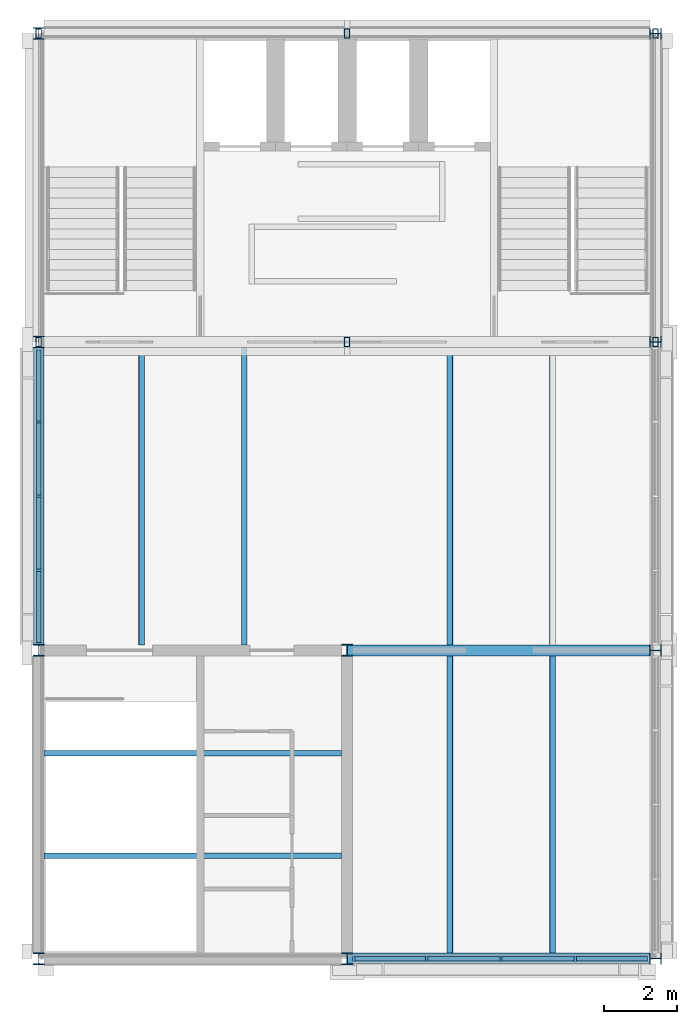
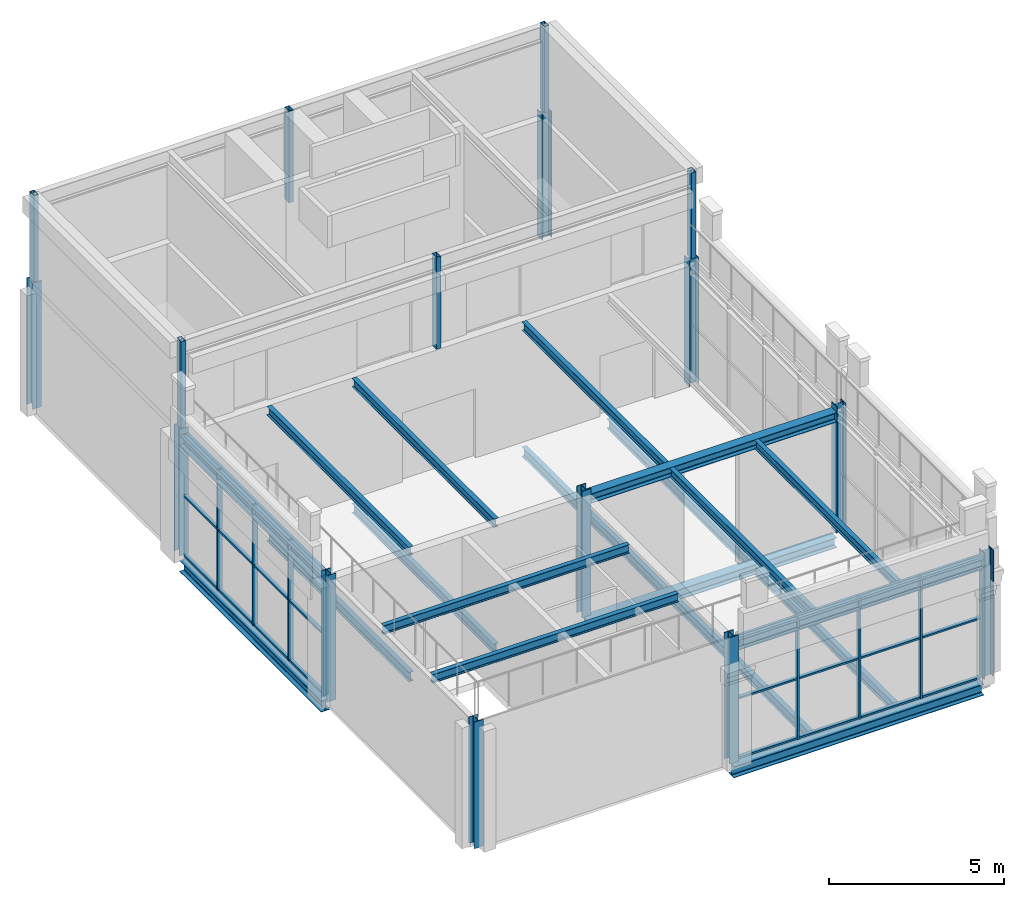
# One storey, part 1 of 7: 32 members, 19 beams, 16 columns, 2 elements without a shape of their own.
"""IFC4 building model written with IfcOpenShell, lengths in metres."""

from ifc_helpers import new_model, si_unit, direction, frame, origin, origin_2d, place, context, subcontext, project, spatial, rectangle, hollow_rectangle, i_section, extrude, material, layer, layer_set, material_profile, profile_set, type_object, element, aggregate, save


model = new_model("IFC4")

# Units and contexts
model_context = context("Model", 3, precision=1e-05, world=origin(), true_north=direction((0.0, 1.0)))
body_context = subcontext(model_context, "Body", "Model", "MODEL_VIEW")
ifc_project = project(units=[si_unit("LENGTHUNIT", "METRE"), si_unit("AREAUNIT", "SQUARE_METRE"), si_unit("VOLUMEUNIT", "CUBIC_METRE"), si_unit("PLANEANGLEUNIT", "RADIAN"), si_unit("MASSUNIT", "GRAM", prefix="KILO")], contexts=[model_context])

# Site, building, storey
site_placement = place(None, origin())
site = spatial("IfcSite", under=ifc_project, at=site_placement, CompositionType="ELEMENT")
building_placement = place(site_placement, origin())
building = spatial("IfcBuilding", under=site, at=building_placement, Name="Galleria Vessillo Department Store", CompositionType="ELEMENT")
storey_placement = place(building_placement, frame((0.0, 0.0, 67.60009765625)))
storey = spatial("IfcBuildingStorey", under=building, at=storey_placement, Name="L15", CompositionType="ELEMENT", Elevation=67.60009765625)

# Columns
ifc_material_1 = material(Name="Steel S355 J2", Category="steel")
ifc_material_profile_1 = material_profile(ifc_material_1, i_section(OverallWidth=0.300048828125, OverallDepth=0.320068359375, WebThickness=0.011474609375, FlangeThickness=0.0205078125, FilletRadius=0.027099609375, at=origin_2d()), Name="HEB 320")
ifc_profile_set_1 = profile_set([ifc_material_profile_1], Name="Steel S355 J2")
column_type_1 = type_object("IfcColumnType", Name="Steel column HEB 320 CT5", PredefinedType="COLUMN", material=ifc_profile_set_1)
for number, where, z_axis, x_axis, name in (
    (1, (100.800048828125, 37.800048828125, 0.0), (0.0, 0.0, 1.0), (1.0, 0.0, 0.0), "S-COL-L15-13-E"),
    (2, (100.800048828125, 46.199951171875, 0.0), (0.0, 0.0, 1.0), (1.0, 0.0, 0.0), "S-COL-L15-13-F"),
    (3, (100.800048828125, 54.60009765625, 0.0), (0.0, 0.0, 1.0), (1.0, 0.0, 0.0), "S-COL-L15-13-G"),
    (4, (100.800048828125, 63.0, 0.0), (0.0, 0.0, 1.0), (1.0, 0.0, 0.0), "S-COL-L15-13-H"),
    (5, (109.199951171875, 37.800048828125, 0.0), (0.0, 0.0, 1.0), (1.0, 0.0, 0.0), "S-COL-L15-14-E"),
    (6, (109.199951171875, 46.199951171875, 0.0), (0.0, 0.0, 1.0), (1.0, 0.0, 0.0), "S-COL-L15-14-F"),
    (7, (117.60009765625, 37.800048828125, 0.0), (0.0, 0.0, 1.0), (0.0, 1.0, 0.0), "S-COL-L15-15-E"),
    (8, (117.60009765625, 46.199951171875, 0.0), (0.0, 0.0, 1.0), (0.0, 1.0, 0.0), "S-COL-L15-15-F"),
    (9, (117.60009765625, 54.60009765625, 0.0), (0.0, 0.0, 1.0), (0.0, 1.0, 0.0), "S-COL-L15-15-G"),
    (10, (117.60009765625, 63.0, 0.0), (0.0, 0.0, 1.0), (0.0, 1.0, 0.0), "S-COL-L15-15-H"),
):
    element("IfcColumn", number, at=place(storey_placement, frame(where, z_axis=z_axis, x_axis=x_axis)), inside=storey, type_object=column_type_1, Name=name, PredefinedType="COLUMN", context=body_context, shape_type="SweptSolid", body=[
        extrude(i_section(OverallWidth=0.300048828125, OverallDepth=0.320068359375, WebThickness=0.011474609375, FlangeThickness=0.0205078125, FilletRadius=0.027099609375, at=origin_2d()), origin(), (0.0, 0.0, 1.0), 4.39990234375),
    ])
ifc_material_2 = material(Name="Steel S355 J2", Category="steel")
ifc_material_profile_2 = material_profile(ifc_material_2, hollow_rectangle(XDim=0.14990234375, YDim=0.25, WallThickness=0.010009765625, at=origin_2d()), Name="RHS 250x150x10")
ifc_profile_set_2 = profile_set([ifc_material_profile_2], Name="Steel S355 J2")
column_type_2 = type_object("IfcColumnType", Name="Steel post RHS 250x150x10", PredefinedType="COLUMN", material=ifc_profile_set_2)
column_1_placement = place(storey_placement, frame((100.800048828125, 54.60009765625, 4.39990234375), z_axis=(0.0, 0.0, 1.0), x_axis=(1.0, 0.0, 0.0)))
element("IfcColumn", 11, at=column_1_placement, inside=storey, type_object=column_type_2, Name="S-HP-1008-0546", PredefinedType="COLUMN", context=body_context, shape_type="SweptSolid", body=[
    extrude(hollow_rectangle(XDim=0.14990234375, YDim=0.25, WallThickness=0.010009765625, at=origin_2d()), origin(), (0.0, 0.0, 1.0), 3.0),
])
column_2_placement = place(storey_placement, frame((109.2001953125, 54.60009765625, 4.199951171875), z_axis=(0.0, 0.0, 1.0), x_axis=(1.0, 0.0, 0.0)))
element("IfcColumn", 12, at=column_2_placement, inside=storey, type_object=column_type_2, Name="S-HP-1092-0546", PredefinedType="COLUMN", context=body_context, shape_type="SweptSolid", body=[
    extrude(hollow_rectangle(XDim=0.14990234375, YDim=0.25, WallThickness=0.010009765625, at=origin_2d()), origin(), (0.0, 0.0, 1.0), 3.199951171875),
])
for number, where, z_axis, x_axis, name in (
    (13, (117.60009765625, 54.60009765625, 4.39990234375), (0.0, 0.0, 1.0), (1.0, 0.0, 0.0), "S-HP-1176-0546"),
    (14, (100.800048828125, 63.0, 4.39990234375), (0.0, 0.0, 1.0), (1.0, 0.0, 0.0), "S-HP-1008-0630"),
):
    element("IfcColumn", number, at=place(storey_placement, frame(where, z_axis=z_axis, x_axis=x_axis)), inside=storey, type_object=column_type_2, Name=name, PredefinedType="COLUMN", context=body_context, shape_type="SweptSolid", body=[
        extrude(hollow_rectangle(XDim=0.14990234375, YDim=0.25, WallThickness=0.010009765625, at=origin_2d()), origin(), (0.0, 0.0, 1.0), 3.0),
    ])
column_3_placement = place(storey_placement, frame((109.2001953125, 63.0, 4.199951171875), z_axis=(0.0, 0.0, 1.0), x_axis=(1.0, 0.0, 0.0)))
element("IfcColumn", 15, at=column_3_placement, inside=storey, type_object=column_type_2, Name="S-HP-1092-0630", PredefinedType="COLUMN", context=body_context, shape_type="SweptSolid", body=[
    extrude(hollow_rectangle(XDim=0.14990234375, YDim=0.25, WallThickness=0.010009765625, at=origin_2d()), origin(), (0.0, 0.0, 1.0), 3.199951171875),
])
column_4_placement = place(storey_placement, frame((117.60009765625, 63.0, 4.39990234375), z_axis=(0.0, 0.0, 1.0), x_axis=(1.0, 0.0, 0.0)))
element("IfcColumn", 16, at=column_4_placement, inside=storey, type_object=column_type_2, Name="S-HP-1176-0630", PredefinedType="COLUMN", context=body_context, shape_type="SweptSolid", body=[
    extrude(hollow_rectangle(XDim=0.14990234375, YDim=0.25, WallThickness=0.010009765625, at=origin_2d()), origin(), (0.0, 0.0, 1.0), 3.0),
])

# Curtain wall, members
ifc_material_3 = material(Name="Aluminium and glass curtain wall", Category="aluminium")
ifc_layer = layer(ifc_material_3, 0.159912109375)
ifc_layer_set = layer_set([ifc_layer], Name="Aluminium and glass curtain wall")
curtain_wall_type = type_object("IfcCurtainWallType", Name="Tower curtain wall CW4 2100 module", PredefinedType="NOTDEFINED", material=ifc_layer_set)
curtain_wall_1_placement = place(storey_placement, origin())
curtain_wall_1 = element("IfcCurtainWall", 17, at=curtain_wall_1_placement, inside=storey, type_object=curtain_wall_type, Name="Tower curtain wall CW4 2100 module TW-L15-01", PredefinedType="NOTDEFINED")
ifc_material_4 = material(Name="Aluminium alloy 6063 T6", Category="aluminium")
ifc_material_profile_3 = material_profile(ifc_material_4, rectangle(XDim=0.159912109375, YDim=0.06005859375, at=origin_2d()), Name="AL 60x160")
ifc_profile_set_3 = profile_set([ifc_material_profile_3], Name="Aluminium alloy 6063 T6")
member_type_1 = type_object("IfcMemberType", Name="Aluminium mullion 60 x 160", PredefinedType="MULLION", material=ifc_profile_set_3)
member_1_placement = place(storey_placement, frame((100.800048828125, 46.389892578125, 0.0), z_axis=(0.0, 0.0, 1.0), x_axis=(-1.0, 0.0, 0.0)))
member_1 = element("IfcMember", 18, at=member_1_placement, type_object=member_type_1, Name="CW4 mullion 1", PredefinedType="MULLION", context=body_context, shape_type="SweptSolid", body=[
    extrude(rectangle(XDim=0.159912109375, YDim=0.06005859375, at=origin_2d()), origin(), (0.0, 0.0, 1.0), 4.199951171875),
])
member_2_placement = place(storey_placement, frame((100.800048828125, 48.3798828125, 0.0), z_axis=(0.0, 0.0, 1.0), x_axis=(-1.0, 0.0, 0.0)))
member_2 = element("IfcMember", 19, at=member_2_placement, type_object=member_type_1, Name="CW4 mullion 2", PredefinedType="MULLION", context=body_context, shape_type="SweptSolid", body=[
    extrude(rectangle(XDim=0.159912109375, YDim=0.06005859375, at=origin_2d()), origin(), (0.0, 0.0, 1.0), 4.199951171875),
])
member_3_placement = place(storey_placement, frame((100.800048828125, 50.39990234375, 0.0), z_axis=(0.0, 0.0, 1.0), x_axis=(-1.0, 0.0, 0.0)))
member_3 = element("IfcMember", 20, at=member_3_placement, type_object=member_type_1, Name="CW4 mullion 3", PredefinedType="MULLION", context=body_context, shape_type="SweptSolid", body=[
    extrude(rectangle(XDim=0.159912109375, YDim=0.06005859375, at=origin_2d()), origin(), (0.0, 0.0, 1.0), 4.199951171875),
])
member_4_placement = place(storey_placement, frame((100.800048828125, 52.420166015625, 0.0), z_axis=(0.0, 0.0, 1.0), x_axis=(-1.0, 0.0, 0.0)))
member_4 = element("IfcMember", 21, at=member_4_placement, type_object=member_type_1, Name="CW4 mullion 4", PredefinedType="MULLION", context=body_context, shape_type="SweptSolid", body=[
    extrude(rectangle(XDim=0.159912109375, YDim=0.06005859375, at=origin_2d()), origin(), (0.0, 0.0, 1.0), 4.199951171875),
])

curtain_wall_2_placement = place(storey_placement, origin())
curtain_wall_2 = element("IfcCurtainWall", 22, at=curtain_wall_2_placement, inside=storey, type_object=curtain_wall_type, Name="Tower curtain wall CW4 2100 module TS-L15-01", PredefinedType="NOTDEFINED")
member_5_placement = place(storey_placement, frame((109.3798828125, 37.800048828125, 0.0), z_axis=(0.0, 0.0, 1.0), x_axis=(0.0, 1.0, 0.0)))
member_5 = element("IfcMember", 23, at=member_5_placement, type_object=member_type_1, Name="CW4 mullion 1", PredefinedType="MULLION", context=body_context, shape_type="SweptSolid", body=[
    extrude(rectangle(XDim=0.159912109375, YDim=0.06005859375, at=origin_2d()), origin(), (0.0, 0.0, 1.0), 4.199951171875),
])
member_6_placement = place(storey_placement, frame((111.37255859375, 37.800048828125, 0.0), z_axis=(0.0, 0.0, 1.0), x_axis=(0.0, 1.0, 0.0)))
member_6 = element("IfcMember", 24, at=member_6_placement, type_object=member_type_1, Name="CW4 mullion 2", PredefinedType="MULLION", context=body_context, shape_type="SweptSolid", body=[
    extrude(rectangle(XDim=0.159912109375, YDim=0.06005859375, at=origin_2d()), origin(), (0.0, 0.0, 1.0), 4.199951171875),
])
member_7_placement = place(storey_placement, frame((113.39501953125, 37.800048828125, 0.0), z_axis=(0.0, 0.0, 1.0), x_axis=(0.0, 1.0, 0.0)))
member_7 = element("IfcMember", 25, at=member_7_placement, type_object=member_type_1, Name="CW4 mullion 3", PredefinedType="MULLION", context=body_context, shape_type="SweptSolid", body=[
    extrude(rectangle(XDim=0.159912109375, YDim=0.06005859375, at=origin_2d()), origin(), (0.0, 0.0, 1.0), 4.199951171875),
])
member_8_placement = place(storey_placement, frame((115.41748046875, 37.800048828125, 0.0), z_axis=(0.0, 0.0, 1.0), x_axis=(0.0, 1.0, 0.0)))
member_8 = element("IfcMember", 26, at=member_8_placement, type_object=member_type_1, Name="CW4 mullion 4", PredefinedType="MULLION", context=body_context, shape_type="SweptSolid", body=[
    extrude(rectangle(XDim=0.159912109375, YDim=0.06005859375, at=origin_2d()), origin(), (0.0, 0.0, 1.0), 4.199951171875),
])

# Member
ifc_material_5 = material(Name="Aluminium alloy 6063 T6", Category="aluminium")
ifc_material_profile_4 = material_profile(ifc_material_5, rectangle(XDim=0.1201171875, YDim=0.06005859375, at=origin_2d()), Name="AL 60x120")
ifc_profile_set_4 = profile_set([ifc_material_profile_4], Name="Aluminium alloy 6063 T6")
member_type_2 = type_object("IfcMemberType", Name="Aluminium transom 60 x 120", PredefinedType="USERDEFINED", material=ifc_profile_set_4)
member_9_placement = place(storey_placement, frame((100.800048828125, 46.419921875, 0.030029296875), z_axis=(0.0, 1.0, 0.0), x_axis=(-1.0, 0.0, 0.0)))
member_9 = element("IfcMember", 27, at=member_9_placement, type_object=member_type_2, Name="CW4 transom 1.1", ObjectType="TRANSOM", PredefinedType="USERDEFINED", context=body_context, shape_type="SweptSolid", body=[
    extrude(rectangle(XDim=0.1201171875, YDim=0.06005859375, at=origin_2d()), origin(), (0.0, 0.0, 1.0), 1.929931640625),
])

member_10_placement = place(storey_placement, frame((100.800048828125, 46.419921875, 2.10009765625), z_axis=(0.0, 1.0, 0.0), x_axis=(-1.0, 0.0, 0.0)))
member_10 = element("IfcMember", 28, at=member_10_placement, type_object=member_type_2, Name="CW4 transom 1.2", ObjectType="TRANSOM", PredefinedType="USERDEFINED", context=body_context, shape_type="SweptSolid", body=[
    extrude(rectangle(XDim=0.1201171875, YDim=0.06005859375, at=origin_2d()), origin(), (0.0, 0.0, 1.0), 1.929931640625),
])

member_11_placement = place(storey_placement, frame((100.800048828125, 46.419921875, 4.169921875), z_axis=(0.0, 1.0, 0.0), x_axis=(-1.0, 0.0, 0.0)))
member_11 = element("IfcMember", 29, at=member_11_placement, type_object=member_type_2, Name="CW4 transom 1.3", ObjectType="TRANSOM", PredefinedType="USERDEFINED", context=body_context, shape_type="SweptSolid", body=[
    extrude(rectangle(XDim=0.1201171875, YDim=0.06005859375, at=origin_2d()), origin(), (0.0, 0.0, 1.0), 1.929931640625),
])

member_12_placement = place(storey_placement, frame((100.800048828125, 48.409912109375, 0.030029296875), z_axis=(0.0, 1.0, 0.0), x_axis=(-1.0, 0.0, 0.0)))
member_12 = element("IfcMember", 30, at=member_12_placement, type_object=member_type_2, Name="CW4 transom 2.1", ObjectType="TRANSOM", PredefinedType="USERDEFINED", context=body_context, shape_type="SweptSolid", body=[
    extrude(rectangle(XDim=0.1201171875, YDim=0.06005859375, at=origin_2d()), origin(), (0.0, 0.0, 1.0), 1.960205078125),
])

member_13_placement = place(storey_placement, frame((100.800048828125, 48.409912109375, 2.10009765625), z_axis=(0.0, 1.0, 0.0), x_axis=(-1.0, 0.0, 0.0)))
member_13 = element("IfcMember", 31, at=member_13_placement, type_object=member_type_2, Name="CW4 transom 2.2", ObjectType="TRANSOM", PredefinedType="USERDEFINED", context=body_context, shape_type="SweptSolid", body=[
    extrude(rectangle(XDim=0.1201171875, YDim=0.06005859375, at=origin_2d()), origin(), (0.0, 0.0, 1.0), 1.960205078125),
])

member_14_placement = place(storey_placement, frame((100.800048828125, 48.409912109375, 4.169921875), z_axis=(0.0, 1.0, 0.0), x_axis=(-1.0, 0.0, 0.0)))
member_14 = element("IfcMember", 32, at=member_14_placement, type_object=member_type_2, Name="CW4 transom 2.3", ObjectType="TRANSOM", PredefinedType="USERDEFINED", context=body_context, shape_type="SweptSolid", body=[
    extrude(rectangle(XDim=0.1201171875, YDim=0.06005859375, at=origin_2d()), origin(), (0.0, 0.0, 1.0), 1.960205078125),
])

member_15_placement = place(storey_placement, frame((100.800048828125, 50.429931640625, 0.030029296875), z_axis=(0.0, 1.0, 0.0), x_axis=(-1.0, 0.0, 0.0)))
member_15 = element("IfcMember", 33, at=member_15_placement, type_object=member_type_2, Name="CW4 transom 3.1", ObjectType="TRANSOM", PredefinedType="USERDEFINED", context=body_context, shape_type="SweptSolid", body=[
    extrude(rectangle(XDim=0.1201171875, YDim=0.06005859375, at=origin_2d()), origin(), (0.0, 0.0, 1.0), 1.960205078125),
])

member_16_placement = place(storey_placement, frame((100.800048828125, 50.429931640625, 2.10009765625), z_axis=(0.0, 1.0, 0.0), x_axis=(-1.0, 0.0, 0.0)))
member_16 = element("IfcMember", 34, at=member_16_placement, type_object=member_type_2, Name="CW4 transom 3.2", ObjectType="TRANSOM", PredefinedType="USERDEFINED", context=body_context, shape_type="SweptSolid", body=[
    extrude(rectangle(XDim=0.1201171875, YDim=0.06005859375, at=origin_2d()), origin(), (0.0, 0.0, 1.0), 1.960205078125),
])

member_17_placement = place(storey_placement, frame((100.800048828125, 50.429931640625, 4.169921875), z_axis=(0.0, 1.0, 0.0), x_axis=(-1.0, 0.0, 0.0)))
member_17 = element("IfcMember", 35, at=member_17_placement, type_object=member_type_2, Name="CW4 transom 3.3", ObjectType="TRANSOM", PredefinedType="USERDEFINED", context=body_context, shape_type="SweptSolid", body=[
    extrude(rectangle(XDim=0.1201171875, YDim=0.06005859375, at=origin_2d()), origin(), (0.0, 0.0, 1.0), 1.960205078125),
])

member_18_placement = place(storey_placement, frame((100.800048828125, 52.4501953125, 0.030029296875), z_axis=(0.0, 1.0, 0.0), x_axis=(-1.0, 0.0, 0.0)))
member_18 = element("IfcMember", 36, at=member_18_placement, type_object=member_type_2, Name="CW4 transom 4.1", ObjectType="TRANSOM", PredefinedType="USERDEFINED", context=body_context, shape_type="SweptSolid", body=[
    extrude(rectangle(XDim=0.1201171875, YDim=0.06005859375, at=origin_2d()), origin(), (0.0, 0.0, 1.0), 1.929931640625),
])

member_19_placement = place(storey_placement, frame((100.800048828125, 52.4501953125, 2.10009765625), z_axis=(0.0, 1.0, 0.0), x_axis=(-1.0, 0.0, 0.0)))
member_19 = element("IfcMember", 37, at=member_19_placement, type_object=member_type_2, Name="CW4 transom 4.2", ObjectType="TRANSOM", PredefinedType="USERDEFINED", context=body_context, shape_type="SweptSolid", body=[
    extrude(rectangle(XDim=0.1201171875, YDim=0.06005859375, at=origin_2d()), origin(), (0.0, 0.0, 1.0), 1.929931640625),
])

member_20_placement = place(storey_placement, frame((100.800048828125, 52.4501953125, 4.169921875), z_axis=(0.0, 1.0, 0.0), x_axis=(-1.0, 0.0, 0.0)))
member_20 = element("IfcMember", 38, at=member_20_placement, type_object=member_type_2, Name="CW4 transom 4.3", ObjectType="TRANSOM", PredefinedType="USERDEFINED", context=body_context, shape_type="SweptSolid", body=[
    extrude(rectangle(XDim=0.1201171875, YDim=0.06005859375, at=origin_2d()), origin(), (0.0, 0.0, 1.0), 1.929931640625),
])

aggregate(curtain_wall_1, [member_1, member_2, member_3, member_4, member_9, member_10, member_11, member_12, member_13, member_14, member_15, member_16, member_17, member_18, member_19, member_20])

member_21_placement = place(storey_placement, frame((109.409912109375, 37.800048828125, 0.030029296875), z_axis=(1.0, 0.0, 0.0), x_axis=(0.0, 1.0, 0.0)))
member_21 = element("IfcMember", 39, at=member_21_placement, type_object=member_type_2, Name="CW4 transom 1.1", ObjectType="TRANSOM", PredefinedType="USERDEFINED", context=body_context, shape_type="SweptSolid", body=[
    extrude(rectangle(XDim=0.1201171875, YDim=0.06005859375, at=origin_2d()), origin(), (0.0, 0.0, 1.0), 1.9326171875),
])

member_22_placement = place(storey_placement, frame((109.409912109375, 37.800048828125, 2.10009765625), z_axis=(1.0, 0.0, 0.0), x_axis=(0.0, 1.0, 0.0)))
member_22 = element("IfcMember", 40, at=member_22_placement, type_object=member_type_2, Name="CW4 transom 1.2", ObjectType="TRANSOM", PredefinedType="USERDEFINED", context=body_context, shape_type="SweptSolid", body=[
    extrude(rectangle(XDim=0.1201171875, YDim=0.06005859375, at=origin_2d()), origin(), (0.0, 0.0, 1.0), 1.9326171875),
])

member_23_placement = place(storey_placement, frame((109.409912109375, 37.800048828125, 4.169921875), z_axis=(1.0, 0.0, 0.0), x_axis=(0.0, 1.0, 0.0)))
member_23 = element("IfcMember", 41, at=member_23_placement, type_object=member_type_2, Name="CW4 transom 1.3", ObjectType="TRANSOM", PredefinedType="USERDEFINED", context=body_context, shape_type="SweptSolid", body=[
    extrude(rectangle(XDim=0.1201171875, YDim=0.06005859375, at=origin_2d()), origin(), (0.0, 0.0, 1.0), 1.9326171875),
])

member_24_placement = place(storey_placement, frame((111.40234375, 37.800048828125, 0.030029296875), z_axis=(1.0, 0.0, 0.0), x_axis=(0.0, 1.0, 0.0)))
member_24 = element("IfcMember", 42, at=member_24_placement, type_object=member_type_2, Name="CW4 transom 2.1", ObjectType="TRANSOM", PredefinedType="USERDEFINED", context=body_context, shape_type="SweptSolid", body=[
    extrude(rectangle(XDim=0.1201171875, YDim=0.06005859375, at=origin_2d()), origin(), (0.0, 0.0, 1.0), 1.962646484375),
])

member_25_placement = place(storey_placement, frame((111.40234375, 37.800048828125, 2.10009765625), z_axis=(1.0, 0.0, 0.0), x_axis=(0.0, 1.0, 0.0)))
member_25 = element("IfcMember", 43, at=member_25_placement, type_object=member_type_2, Name="CW4 transom 2.2", ObjectType="TRANSOM", PredefinedType="USERDEFINED", context=body_context, shape_type="SweptSolid", body=[
    extrude(rectangle(XDim=0.1201171875, YDim=0.06005859375, at=origin_2d()), origin(), (0.0, 0.0, 1.0), 1.962646484375),
])

member_26_placement = place(storey_placement, frame((111.40234375, 37.800048828125, 4.169921875), z_axis=(1.0, 0.0, 0.0), x_axis=(0.0, 1.0, 0.0)))
member_26 = element("IfcMember", 44, at=member_26_placement, type_object=member_type_2, Name="CW4 transom 2.3", ObjectType="TRANSOM", PredefinedType="USERDEFINED", context=body_context, shape_type="SweptSolid", body=[
    extrude(rectangle(XDim=0.1201171875, YDim=0.06005859375, at=origin_2d()), origin(), (0.0, 0.0, 1.0), 1.962646484375),
])

member_27_placement = place(storey_placement, frame((113.425048828125, 37.800048828125, 0.030029296875), z_axis=(1.0, 0.0, 0.0), x_axis=(0.0, 1.0, 0.0)))
member_27 = element("IfcMember", 45, at=member_27_placement, type_object=member_type_2, Name="CW4 transom 3.1", ObjectType="TRANSOM", PredefinedType="USERDEFINED", context=body_context, shape_type="SweptSolid", body=[
    extrude(rectangle(XDim=0.1201171875, YDim=0.06005859375, at=origin_2d()), origin(), (0.0, 0.0, 1.0), 1.962646484375),
])

member_28_placement = place(storey_placement, frame((113.425048828125, 37.800048828125, 2.10009765625), z_axis=(1.0, 0.0, 0.0), x_axis=(0.0, 1.0, 0.0)))
member_28 = element("IfcMember", 46, at=member_28_placement, type_object=member_type_2, Name="CW4 transom 3.2", ObjectType="TRANSOM", PredefinedType="USERDEFINED", context=body_context, shape_type="SweptSolid", body=[
    extrude(rectangle(XDim=0.1201171875, YDim=0.06005859375, at=origin_2d()), origin(), (0.0, 0.0, 1.0), 1.962646484375),
])

member_29_placement = place(storey_placement, frame((113.425048828125, 37.800048828125, 4.169921875), z_axis=(1.0, 0.0, 0.0), x_axis=(0.0, 1.0, 0.0)))
member_29 = element("IfcMember", 47, at=member_29_placement, type_object=member_type_2, Name="CW4 transom 3.3", ObjectType="TRANSOM", PredefinedType="USERDEFINED", context=body_context, shape_type="SweptSolid", body=[
    extrude(rectangle(XDim=0.1201171875, YDim=0.06005859375, at=origin_2d()), origin(), (0.0, 0.0, 1.0), 1.962646484375),
])

member_30_placement = place(storey_placement, frame((115.447509765625, 37.800048828125, 0.030029296875), z_axis=(1.0, 0.0, 0.0), x_axis=(0.0, 1.0, 0.0)))
member_30 = element("IfcMember", 48, at=member_30_placement, type_object=member_type_2, Name="CW4 transom 4.1", ObjectType="TRANSOM", PredefinedType="USERDEFINED", context=body_context, shape_type="SweptSolid", body=[
    extrude(rectangle(XDim=0.1201171875, YDim=0.06005859375, at=origin_2d()), origin(), (0.0, 0.0, 1.0), 1.9326171875),
])

member_31_placement = place(storey_placement, frame((115.447509765625, 37.800048828125, 2.10009765625), z_axis=(1.0, 0.0, 0.0), x_axis=(0.0, 1.0, 0.0)))
member_31 = element("IfcMember", 49, at=member_31_placement, type_object=member_type_2, Name="CW4 transom 4.2", ObjectType="TRANSOM", PredefinedType="USERDEFINED", context=body_context, shape_type="SweptSolid", body=[
    extrude(rectangle(XDim=0.1201171875, YDim=0.06005859375, at=origin_2d()), origin(), (0.0, 0.0, 1.0), 1.9326171875),
])

member_32_placement = place(storey_placement, frame((115.447509765625, 37.800048828125, 4.169921875), z_axis=(1.0, 0.0, 0.0), x_axis=(0.0, 1.0, 0.0)))
member_32 = element("IfcMember", 50, at=member_32_placement, type_object=member_type_2, Name="CW4 transom 4.3", ObjectType="TRANSOM", PredefinedType="USERDEFINED", context=body_context, shape_type="SweptSolid", body=[
    extrude(rectangle(XDim=0.1201171875, YDim=0.06005859375, at=origin_2d()), origin(), (0.0, 0.0, 1.0), 1.9326171875),
])

aggregate(curtain_wall_2, [member_5, member_6, member_7, member_8, member_21, member_22, member_23, member_24, member_25, member_26, member_27, member_28, member_29, member_30, member_31, member_32])

# Beams
ifc_material_6 = material(Name="Steel S355 J2", Category="steel")
ifc_material_profile_5 = material_profile(ifc_material_6, i_section(OverallWidth=0.300048828125, OverallDepth=0.330078125, WebThickness=0.009521484375, FlangeThickness=0.0166015625, FilletRadius=0.027099609375, at=origin_2d()), Name="HEA 340")
ifc_profile_set_5 = profile_set([ifc_material_profile_5], Name="Steel S355 J2")
beam_type_1 = type_object("IfcBeamType", Name="Floor girder HEA 340", PredefinedType="BEAM", material=ifc_profile_set_5)
beam_1_placement = place(storey_placement, frame((109.205810546875, 46.199951171875, 4.034912109375), z_axis=(1.0, 0.0, 0.0), x_axis=(0.0, 1.0, 0.0)))
element("IfcBeam", 51, at=beam_1_placement, inside=storey, type_object=beam_type_1, Name="S-BM-L15R-GI-x46200-109206", PredefinedType="BEAM", context=body_context, shape_type="SweptSolid", body=[
    extrude(i_section(OverallWidth=0.300048828125, OverallDepth=0.330078125, WebThickness=0.009521484375, FlangeThickness=0.0166015625, FilletRadius=0.027099609375, at=origin_2d()), origin(), (0.0, 0.0, 1.0), 8.234130859375),
])
ifc_material_7 = material(Name="Steel S355 J2", Category="steel")
ifc_material_profile_6 = material_profile(ifc_material_7, i_section(OverallWidth=0.300048828125, OverallDepth=0.35009765625, WebThickness=0.010009765625, FlangeThickness=0.017578125, FilletRadius=0.027099609375, at=origin_2d()), Name="HEA 360")
ifc_profile_set_6 = profile_set([ifc_material_profile_6], Name="Steel S355 J2")
beam_type_2 = type_object("IfcBeamType", Name="Floor girder HEA 360", PredefinedType="BEAM", material=ifc_profile_set_6)
beam_2_placement = place(storey_placement, frame((109.205810546875, 46.199951171875, -0.324951171875), z_axis=(1.0, 0.0, 0.0), x_axis=(0.0, 1.0, 0.0)))
element("IfcBeam", 52, at=beam_2_placement, inside=storey, type_object=beam_type_2, Name="S-BM-L15-GI-x46200-109206", PredefinedType="BEAM", context=body_context, shape_type="SweptSolid", body=[
    extrude(i_section(OverallWidth=0.300048828125, OverallDepth=0.35009765625, WebThickness=0.010009765625, FlangeThickness=0.017578125, FilletRadius=0.027099609375, at=origin_2d()), origin(), (0.0, 0.0, 1.0), 8.234130859375),
])
ifc_material_8 = material(Name="Steel S355 J2", Category="steel")
ifc_material_profile_7 = material_profile(ifc_material_8, i_section(OverallWidth=0.14990234375, OverallDepth=0.300048828125, WebThickness=0.007080078125, FlangeThickness=0.0107421875, FilletRadius=0.014892578125, at=origin_2d()), Name="IPE 300")
ifc_profile_set_7 = profile_set([ifc_material_profile_7], Name="Steel S355 J2")
beam_type_3 = type_object("IfcBeamType", Name="Floor joist IPE 300", PredefinedType="JOIST", material=ifc_profile_set_7)
for number, where, z_axis, x_axis, name in (
    (53, (100.9501953125, 40.60009765625, 4.050048828125), (1.0, 0.0, 0.0), (0.0, 1.0, 0.0), "S-BM-L15R-JO-x40600-100950"),
    (54, (100.9501953125, 43.39990234375, 4.050048828125), (1.0, 0.0, 0.0), (0.0, 1.0, 0.0), "S-BM-L15R-JO-x43400-100950"),
):
    element("IfcBeam", number, at=place(storey_placement, frame(where, z_axis=z_axis, x_axis=x_axis)), inside=storey, type_object=beam_type_3, Name=name, PredefinedType="JOIST", context=body_context, shape_type="SweptSolid", body=[
        extrude(i_section(OverallWidth=0.14990234375, OverallDepth=0.300048828125, WebThickness=0.007080078125, FlangeThickness=0.0107421875, FilletRadius=0.014892578125, at=origin_2d()), origin(), (0.0, 0.0, 1.0), 8.099609375),
    ])
for number, where, z_axis, x_axis, name in (
    (55, (103.60009765625, 46.35009765625, 4.050048828125), (0.0, 1.0, 0.0), (-1.0, 0.0, 0.0), "S-BM-L15R-JO-y103600-46350"),
    (56, (106.39990234375, 46.35009765625, 4.050048828125), (0.0, 1.0, 0.0), (-1.0, 0.0, 0.0), "S-BM-L15R-JO-y106400-46350"),
):
    element("IfcBeam", number, at=place(storey_placement, frame(where, z_axis=z_axis, x_axis=x_axis)), inside=storey, type_object=beam_type_3, Name=name, PredefinedType="JOIST", context=body_context, shape_type="SweptSolid", body=[
        extrude(i_section(OverallWidth=0.14990234375, OverallDepth=0.300048828125, WebThickness=0.007080078125, FlangeThickness=0.0107421875, FilletRadius=0.014892578125, at=origin_2d()), origin(), (0.0, 0.0, 1.0), 8.099853515625),
    ])
for number, where, z_axis, x_axis, name in (
    (57, (112.0, 37.9501953125, 4.050048828125), (0.0, 1.0, 0.0), (-1.0, 0.0, 0.0), "S-BM-L15R-JO-y112000-37950"),
    (58, (114.800048828125, 37.9501953125, 4.050048828125), (0.0, 1.0, 0.0), (-1.0, 0.0, 0.0), "S-BM-L15R-JO-y114800-37950"),
):
    element("IfcBeam", number, at=place(storey_placement, frame(where, z_axis=z_axis, x_axis=x_axis)), inside=storey, type_object=beam_type_3, Name=name, PredefinedType="JOIST", context=body_context, shape_type="SweptSolid", body=[
        extrude(i_section(OverallWidth=0.14990234375, OverallDepth=0.300048828125, WebThickness=0.007080078125, FlangeThickness=0.0107421875, FilletRadius=0.014892578125, at=origin_2d()), origin(), (0.0, 0.0, 1.0), 8.099609375),
    ])
beam_3_placement = place(storey_placement, frame((112.0, 46.35009765625, 4.050048828125), z_axis=(0.0, 1.0, 0.0), x_axis=(-1.0, 0.0, 0.0)))
element("IfcBeam", 59, at=beam_3_placement, inside=storey, type_object=beam_type_3, Name="S-BM-L15R-JO-y112000-46350", PredefinedType="JOIST", context=body_context, shape_type="SweptSolid", body=[
    extrude(i_section(OverallWidth=0.14990234375, OverallDepth=0.300048828125, WebThickness=0.007080078125, FlangeThickness=0.0107421875, FilletRadius=0.014892578125, at=origin_2d()), origin(), (0.0, 0.0, 1.0), 8.099853515625),
])
ifc_material_9 = material(Name="Steel S355 J2", Category="steel")
ifc_material_profile_8 = material_profile(ifc_material_9, i_section(OverallWidth=0.159912109375, OverallDepth=0.330078125, WebThickness=0.007568359375, FlangeThickness=0.011474609375, FilletRadius=0.01806640625, at=origin_2d()), Name="IPE 330")
ifc_profile_set_8 = profile_set([ifc_material_profile_8], Name="Steel S355 J2")
beam_type_4 = type_object("IfcBeamType", Name="Floor joist IPE 330", PredefinedType="JOIST", material=ifc_profile_set_8)
for number, where, z_axis, x_axis, name in (
    (60, (103.60009765625, 46.35009765625, -0.31494140625), (0.0, 1.0, 0.0), (-1.0, 0.0, 0.0), "S-BM-L15-JO-y103600-46350"),
    (61, (106.39990234375, 46.35009765625, -0.31494140625), (0.0, 1.0, 0.0), (-1.0, 0.0, 0.0), "S-BM-L15-JO-y106400-46350"),
):
    element("IfcBeam", number, at=place(storey_placement, frame(where, z_axis=z_axis, x_axis=x_axis)), inside=storey, type_object=beam_type_4, Name=name, PredefinedType="JOIST", context=body_context, shape_type="SweptSolid", body=[
        extrude(i_section(OverallWidth=0.159912109375, OverallDepth=0.330078125, WebThickness=0.007568359375, FlangeThickness=0.011474609375, FilletRadius=0.01806640625, at=origin_2d()), origin(), (0.0, 0.0, 1.0), 8.099853515625),
    ])
for number, where, z_axis, x_axis, name in (
    (62, (112.0, 37.9501953125, -0.31494140625), (0.0, 1.0, 0.0), (-1.0, 0.0, 0.0), "S-BM-L15-JO-y112000-37950"),
    (63, (114.800048828125, 37.9501953125, -0.31494140625), (0.0, 1.0, 0.0), (-1.0, 0.0, 0.0), "S-BM-L15-JO-y114800-37950"),
):
    element("IfcBeam", number, at=place(storey_placement, frame(where, z_axis=z_axis, x_axis=x_axis)), inside=storey, type_object=beam_type_4, Name=name, PredefinedType="JOIST", context=body_context, shape_type="SweptSolid", body=[
        extrude(i_section(OverallWidth=0.159912109375, OverallDepth=0.330078125, WebThickness=0.007568359375, FlangeThickness=0.011474609375, FilletRadius=0.01806640625, at=origin_2d()), origin(), (0.0, 0.0, 1.0), 8.099609375),
    ])
for number, where, z_axis, x_axis, name in (
    (64, (112.0, 46.35009765625, -0.31494140625), (0.0, 1.0, 0.0), (-1.0, 0.0, 0.0), "S-BM-L15-JO-y112000-46350"),
    (65, (114.800048828125, 46.35009765625, -0.31494140625), (0.0, 1.0, 0.0), (-1.0, 0.0, 0.0), "S-BM-L15-JO-y114800-46350"),
):
    element("IfcBeam", number, at=place(storey_placement, frame(where, z_axis=z_axis, x_axis=x_axis)), inside=storey, type_object=beam_type_4, Name=name, PredefinedType="JOIST", context=body_context, shape_type="SweptSolid", body=[
        extrude(i_section(OverallWidth=0.159912109375, OverallDepth=0.330078125, WebThickness=0.007568359375, FlangeThickness=0.011474609375, FilletRadius=0.01806640625, at=origin_2d()), origin(), (0.0, 0.0, 1.0), 8.099853515625),
    ])
ifc_material_10 = material(Name="Steel S355 J2", Category="steel")
ifc_material_profile_9 = material_profile(ifc_material_10, i_section(OverallWidth=0.300048828125, OverallDepth=0.35009765625, WebThickness=0.010009765625, FlangeThickness=0.017578125, FilletRadius=0.027099609375, at=origin_2d()), Name="HEA 360")
ifc_profile_set_9 = profile_set([ifc_material_profile_9], Name="Steel S355 J2")
beam_type_5 = type_object("IfcBeamType", Name="Trimmer beam HEA 360", PredefinedType="BEAM", material=ifc_profile_set_9)
beam_4_placement = place(storey_placement, frame((109.205810546875, 37.800048828125, 4.02490234375), z_axis=(1.0, 0.0, 0.0), x_axis=(0.0, 1.0, 0.0)))
element("IfcBeam", 66, at=beam_4_placement, inside=storey, type_object=beam_type_5, Name="S-BM-L15R-TR-x37800-109206", PredefinedType="BEAM", context=body_context, shape_type="SweptSolid", body=[
    extrude(i_section(OverallWidth=0.300048828125, OverallDepth=0.35009765625, WebThickness=0.010009765625, FlangeThickness=0.017578125, FilletRadius=0.027099609375, at=origin_2d()), origin(), (0.0, 0.0, 1.0), 8.234130859375),
])
beam_5_placement = place(storey_placement, frame((100.800048828125, 46.360107421875, 4.02490234375), z_axis=(0.0, 1.0, 0.0), x_axis=(-1.0, 0.0, 0.0)))
element("IfcBeam", 67, at=beam_5_placement, inside=storey, type_object=beam_type_5, Name="S-BM-L15R-TR-y100800-46360", PredefinedType="BEAM", context=body_context, shape_type="SweptSolid", body=[
    extrude(i_section(OverallWidth=0.300048828125, OverallDepth=0.35009765625, WebThickness=0.010009765625, FlangeThickness=0.017578125, FilletRadius=0.027099609375, at=origin_2d()), origin(), (0.0, 0.0, 1.0), 8.079833984375),
])
ifc_material_11 = material(Name="Steel S355 J2", Category="steel")
ifc_material_profile_10 = material_profile(ifc_material_11, i_section(OverallWidth=0.300048828125, OverallDepth=0.389892578125, WebThickness=0.010986328125, FlangeThickness=0.01904296875, FilletRadius=0.027099609375, at=origin_2d()), Name="HEA 400")
ifc_profile_set_10 = profile_set([ifc_material_profile_10], Name="Steel S355 J2")
beam_type_6 = type_object("IfcBeamType", Name="Trimmer beam HEA 400", PredefinedType="BEAM", material=ifc_profile_set_10)
beam_6_placement = place(storey_placement, frame((109.205810546875, 37.800048828125, -0.344970703125), z_axis=(1.0, 0.0, 0.0), x_axis=(0.0, 1.0, 0.0)))
element("IfcBeam", 68, at=beam_6_placement, inside=storey, type_object=beam_type_6, Name="S-BM-L15-TR-x37800-109206", PredefinedType="BEAM", context=body_context, shape_type="SweptSolid", body=[
    extrude(i_section(OverallWidth=0.300048828125, OverallDepth=0.389892578125, WebThickness=0.010986328125, FlangeThickness=0.01904296875, FilletRadius=0.027099609375, at=origin_2d()), origin(), (0.0, 0.0, 1.0), 8.234130859375),
])
beam_7_placement = place(storey_placement, frame((100.800048828125, 46.360107421875, -0.344970703125), z_axis=(0.0, 1.0, 0.0), x_axis=(-1.0, 0.0, 0.0)))
element("IfcBeam", 69, at=beam_7_placement, inside=storey, type_object=beam_type_6, Name="S-BM-L15-TR-y100800-46360", PredefinedType="BEAM", context=body_context, shape_type="SweptSolid", body=[
    extrude(i_section(OverallWidth=0.300048828125, OverallDepth=0.389892578125, WebThickness=0.010986328125, FlangeThickness=0.01904296875, FilletRadius=0.027099609375, at=origin_2d()), origin(), (0.0, 0.0, 1.0), 8.079833984375),
])

save(model, "model.ifc")
